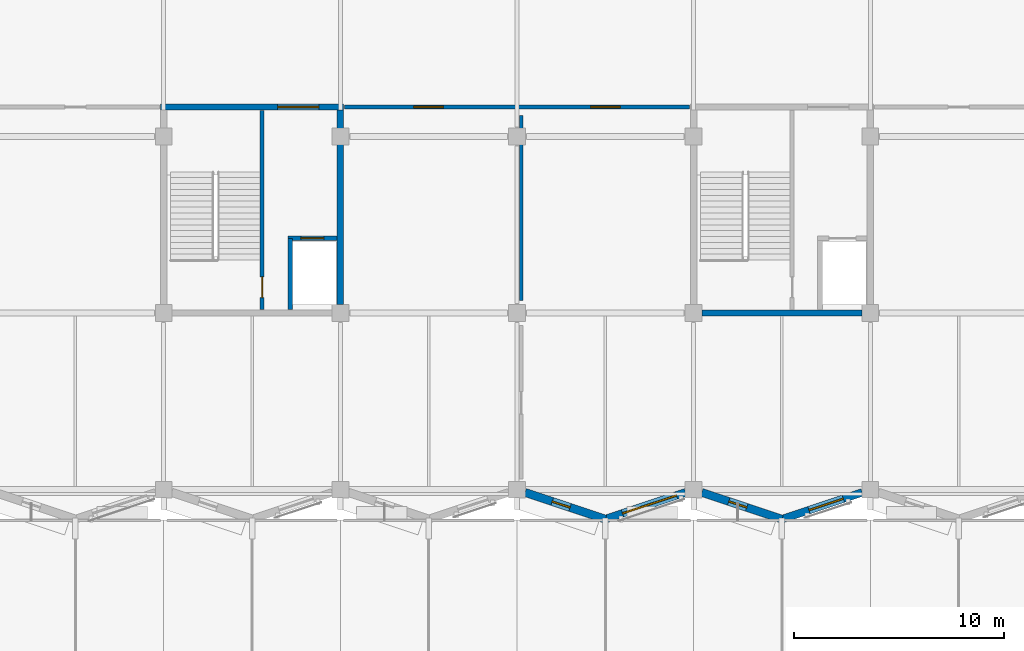
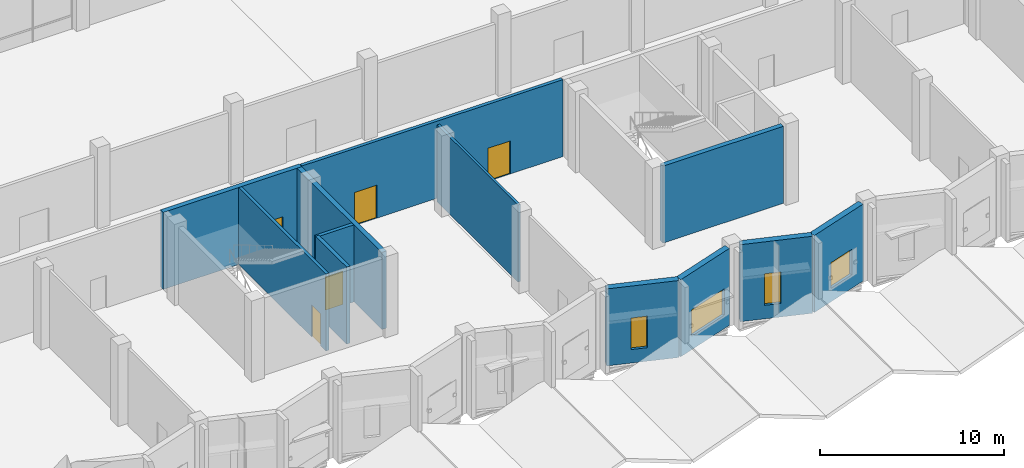
# One storey, part 51 of 72: 12 walls, 5 doors, 4 windows, 9 openings.
"""IFC4 building model written with IfcOpenShell, lengths in metres."""

from ifc_helpers import new_model, si_unit, direction, frame, frame_2d, origin, place, context, subcontext, project, spatial, rectangle, extrude, material, layer, layer_set, type_object, element, fill, save


model = new_model("IFC4")

# Units and contexts
model_context = context("Model", 3, precision=1e-05, world=origin(), true_north=direction((0.0, 1.0)))
body_context = subcontext(model_context, "Body", "Model", "MODEL_VIEW")
ifc_project = project(units=[si_unit("LENGTHUNIT", "METRE"), si_unit("AREAUNIT", "SQUARE_METRE"), si_unit("VOLUMEUNIT", "CUBIC_METRE"), si_unit("PLANEANGLEUNIT", "RADIAN"), si_unit("MASSUNIT", "GRAM", prefix="KILO")], contexts=[model_context])

# Site, building, storey
site_placement = place(None, origin())
site = spatial("IfcSite", under=ifc_project, at=site_placement, CompositionType="ELEMENT")
building_placement = place(site_placement, origin())
building = spatial("IfcBuilding", under=site, at=building_placement, Name="Qawsi Khor Wholesale Market", CompositionType="ELEMENT")
storey_placement = place(building_placement, frame((0.0, 0.0, 6.0)))
storey = spatial("IfcBuildingStorey", under=building, at=storey_placement, Name="L01", CompositionType="ELEMENT", Elevation=6.0)

# Wall, opening, door
ifc_material_1 = material(Name="Concrete C40/50", Category="concrete")
ifc_layer_1 = layer(ifc_material_1, 0.300048828125, Name="Concrete C40/50")
ifc_layer_set_1 = layer_set([ifc_layer_1], Name="Concrete C40/50")
wall_type_1 = type_object("IfcWallType", Name="Core Shear Wall RC 300 C40/50", PredefinedType="SHEAR", material=ifc_layer_set_1)
wall_1_placement = place(storey_placement, frame((92.25, 18.199951171875, 0.0), z_axis=(0.0, 0.0, 1.0), x_axis=(1.0, 0.0, 0.0)))
wall_1 = element("IfcWall", 1, at=wall_1_placement, inside=storey, type_object=wall_type_1, Name="Core C03 north shear wall L01", PredefinedType="SHEAR", context=body_context, shape_type="SweptSolid", body=[
    extrude(rectangle(XDim=8.699951171875, YDim=0.300048828125, at=frame_2d((4.35009765625, 0.0))), origin(), (0.0, 0.0, 1.0), 5.1201171875),
])
opening_1_placement = place(wall_1_placement, frame((5.570068359375, 0.0, 0.0)))
opening_1 = element("IfcOpeningElement", 2, at=opening_1_placement, cuts=wall_1, Name="Opening ID-01", PredefinedType="OPENING", context=body_context, shape_type="SweptSolid", body=[
    extrude(rectangle(XDim=1.9599609375, YDim=2.199951171875, at=frame_2d((0.97998046875, 1.10009765625))), frame((0.0, 0.159912109375, 0.0), z_axis=(0.0, -1.0, 0.0), x_axis=(1.0, 0.0, 0.0)), (0.0, 0.0, 1.0), 0.320068359375),
])
ifc_material_2 = material(Name="Steel Fire Door", Category="steel")
door_type_1 = type_object("IfcDoorType", Name="Stair & Core Fire Door 1960x2200 FD90S", OperationType="NOTDEFINED", PredefinedType="DOOR", material=ifc_material_2)
door_1_placement = place(opening_1_placement, origin())
door_1 = element("IfcDoor", 3, at=door_1_placement, inside=storey, type_object=door_type_1, Name="Core C03 fire door L01", OperationType="DOUBLE_DOOR_SINGLE_SWING", OverallHeight=2.199951171875, OverallWidth=1.9599609375, PredefinedType="DOOR", context=body_context, shape_type="SweptSolid", body=[
    extrude(rectangle(XDim=1.9599609375, YDim=2.199951171875, at=frame_2d((0.97998046875, 1.10009765625))), frame((0.0, 0.02490234375, 0.0), z_axis=(0.0, -1.0, 0.0), x_axis=(1.0, 0.0, 0.0)), (0.0, 0.0, 1.0), 0.050048828125),
])
fill(opening_1, door_1)

# Walls
wall_2_placement = place(storey_placement, frame((100.800048828125, 18.050048828125, 0.0), z_axis=(0.0, 0.0, 1.0), x_axis=(0.0, -1.0, 0.0)))
element("IfcWall", 4, at=wall_2_placement, inside=storey, type_object=wall_type_1, Name="Core C03 east shear wall L01", PredefinedType="SHEAR", context=body_context, shape_type="SweptSolid", body=[
    extrude(rectangle(XDim=9.2451171875, YDim=0.300048828125, at=frame_2d((4.62255859375, 0.0))), origin(), (0.0, 0.0, 1.0), 5.1201171875),
])
wall_3_placement = place(storey_placement, frame((125.594970703125, 8.39990234375, 0.0), z_axis=(0.0, 0.0, 1.0), x_axis=(-1.0, 0.0, 0.0)))
element("IfcWall", 5, at=wall_3_placement, inside=storey, type_object=wall_type_1, Name="Core C04 south shear wall L01", PredefinedType="SHEAR", context=body_context, shape_type="SweptSolid", body=[
    extrude(rectangle(XDim=7.590087890625, YDim=0.300048828125, at=frame_2d((3.794921875, 0.0))), origin(), (0.0, 0.0, 1.0), 5.1201171875),
])

# Wall, openings, doors
ifc_material_3 = material(Name="Gypsum Fireboard on Steel Stud", Category="steel")
ifc_layer_2 = layer(ifc_material_3, 0.2099609375, Name="Gypsum Fireboard on Steel Stud")
ifc_layer_set_2 = layer_set([ifc_layer_2], Name="Gypsum Fireboard on Steel Stud")
wall_type_2 = type_object("IfcWallType", Name="Corridor Fire Partition Wall 210", PredefinedType="PARTITIONING", material=ifc_layer_set_2)
wall_4_placement = place(storey_placement, frame((101.0, 18.199951171875, 0.0), z_axis=(0.0, 0.0, 1.0), x_axis=(1.0, 0.0, 0.0)))
wall_4 = element("IfcWall", 6, at=wall_4_placement, inside=storey, type_object=wall_type_2, Name="PW-L01-052", PredefinedType="PARTITIONING", context=body_context, shape_type="SweptSolid", body=[
    extrude(rectangle(XDim=16.39990234375, YDim=0.2099609375, at=frame_2d((8.199951171875, 0.0))), origin(), (0.0, 0.0, 1.0), 5.1201171875),
])
opening_2_placement = place(wall_4_placement, frame((3.300048828125, 0.0, 0.0)))
opening_2 = element("IfcOpeningElement", 7, at=opening_2_placement, cuts=wall_4, Name="Opening ID-02", PredefinedType="OPENING", context=body_context, shape_type="SweptSolid", body=[
    extrude(rectangle(XDim=1.39990234375, YDim=2.199951171875, at=frame_2d((0.699951171875, 1.10009765625))), frame((0.0, 0.114990234375, 0.0), z_axis=(0.0, -1.0, 0.0), x_axis=(1.0, 0.0, 0.0)), (0.0, 0.0, 1.0), 0.22998046875),
])
opening_3_placement = place(wall_4_placement, frame((11.699951171875, 0.0, 0.0)))
opening_3 = element("IfcOpeningElement", 8, at=opening_3_placement, cuts=wall_4, Name="Opening ID-02", PredefinedType="OPENING", context=body_context, shape_type="SweptSolid", body=[
    extrude(rectangle(XDim=1.39990234375, YDim=2.199951171875, at=frame_2d((0.699951171875, 1.10009765625))), frame((0.0, 0.114990234375, 0.0), z_axis=(0.0, -1.0, 0.0), x_axis=(1.0, 0.0, 0.0)), (0.0, 0.0, 1.0), 0.22998046875),
])
door_type_2 = type_object("IfcDoorType", Name="Firefighting Lobby Door 1400x2200 FD60S", OperationType="NOTDEFINED", PredefinedType="DOOR", material=ifc_material_2)
door_2_placement = place(opening_2_placement, origin())
door_2 = element("IfcDoor", 9, at=door_2_placement, inside=storey, type_object=door_type_2, Name="Firefighting Lobby Door 1400x2200 FD60S L01-056", OperationType="DOUBLE_DOOR_SINGLE_SWING", OverallHeight=2.199951171875, OverallWidth=1.39990234375, PredefinedType="DOOR", context=body_context, shape_type="SweptSolid", body=[
    extrude(rectangle(XDim=1.39990234375, YDim=2.199951171875, at=frame_2d((0.699951171875, 1.10009765625))), frame((0.0, 0.02490234375, 0.0), z_axis=(0.0, -1.0, 0.0), x_axis=(1.0, 0.0, 0.0)), (0.0, 0.0, 1.0), 0.050048828125),
])
fill(opening_2, door_2)
door_3_placement = place(opening_3_placement, origin())
door_3 = element("IfcDoor", 10, at=door_3_placement, inside=storey, type_object=door_type_2, Name="Firefighting Lobby Door 1400x2200 FD60S L01-057", OperationType="DOUBLE_DOOR_SINGLE_SWING", OverallHeight=2.199951171875, OverallWidth=1.39990234375, PredefinedType="DOOR", context=body_context, shape_type="SweptSolid", body=[
    extrude(rectangle(XDim=1.39990234375, YDim=2.199951171875, at=frame_2d((0.699951171875, 1.10009765625))), frame((0.0, 0.02490234375, 0.0), z_axis=(0.0, -1.0, 0.0), x_axis=(1.0, 0.0, 0.0)), (0.0, 0.0, 1.0), 0.050048828125),
])
fill(opening_3, door_3)

# Wall
ifc_layer_3 = layer(ifc_material_1, 0.219970703125, Name="Concrete C40/50")
ifc_layer_set_3 = layer_set([ifc_layer_3], Name="Concrete C40/50")
wall_type_3 = type_object("IfcWallType", Name="Lift & Stair Shaft Wall RC 220", PredefinedType="SOLIDWALL", material=ifc_layer_set_3)
wall_5_placement = place(storey_placement, frame((98.409912109375, 8.56005859375, 0.0), z_axis=(0.0, 0.0, 1.0), x_axis=(0.0, 1.0, 0.0)))
element("IfcWall", 11, at=wall_5_placement, inside=storey, type_object=wall_type_3, Name="Lift PL-02 shaft wall W L01", PredefinedType="SOLIDWALL", context=body_context, shape_type="SweptSolid", body=[
    extrude(rectangle(XDim=3.389892578125, YDim=0.219970703125, at=frame_2d((1.69482421875, 0.0))), origin(), (0.0, 0.0, 1.0), 5.1201171875),
])

# Wall, opening, door
wall_6_placement = place(storey_placement, frame((98.300048828125, 11.949951171875, 0.0), z_axis=(0.0, 0.0, 1.0), x_axis=(1.0, 0.0, 0.0)))
wall_6 = element("IfcWall", 12, at=wall_6_placement, inside=storey, type_object=wall_type_3, Name="Lift PL-02 shaft wall N L01", PredefinedType="SOLIDWALL", context=body_context, shape_type="SweptSolid", body=[
    extrude(rectangle(XDim=2.33984375, YDim=0.219970703125, at=frame_2d((1.169921875, 0.0))), origin(), (0.0, 0.0, 1.0), 5.1201171875),
])
opening_4_placement = place(wall_6_placement, frame((0.6201171875, 0.0, 0.0)))
opening_4 = element("IfcOpeningElement", 13, at=opening_4_placement, cuts=wall_6, Name="Opening LD-P110", PredefinedType="OPENING", context=body_context, shape_type="SweptSolid", body=[
    extrude(rectangle(XDim=1.10009765625, YDim=2.199951171875, at=frame_2d((0.550048828125, 1.10009765625))), frame((0.0, 0.119873046875, 0.0), z_axis=(0.0, -1.0, 0.0), x_axis=(1.0, 0.0, 0.0)), (0.0, 0.0, 1.0), 0.239990234375),
])
ifc_material_4 = material(Name="Brushed Stainless Steel", Category="steel")
door_type_3 = type_object("IfcDoorType", Name="Passenger Lift Landing Sliding Door 1100x2200 FD90S", OperationType="NOTDEFINED", PredefinedType="DOOR", material=ifc_material_4)
door_4_placement = place(opening_4_placement, origin())
door_4 = element("IfcDoor", 14, at=door_4_placement, inside=storey, type_object=door_type_3, Name="Lift PL-02 landing door L01", OperationType="SLIDING_TO_RIGHT", OverallHeight=2.199951171875, OverallWidth=1.10009765625, PredefinedType="DOOR", context=body_context, shape_type="SweptSolid", body=[
    extrude(rectangle(XDim=1.10009765625, YDim=2.199951171875, at=frame_2d((0.550048828125, 1.10009765625))), frame((0.0, 0.02490234375, 0.0), z_axis=(0.0, -1.0, 0.0), x_axis=(1.0, 0.0, 0.0)), (0.0, 0.0, 1.0), 0.050048828125),
])
fill(opening_4, door_4)

# Wall
ifc_material_5 = material(Name="Gypsum Board on Metal Stud", Category="gypsum")
ifc_layer_4 = layer(ifc_material_5, 0.14990234375, Name="Gypsum Board on Metal Stud")
ifc_layer_set_4 = layer_set([ifc_layer_4], Name="Gypsum Board on Metal Stud")
wall_type_4 = type_object("IfcWallType", Name="Office Partition Wall 150", PredefinedType="PARTITIONING", material=ifc_layer_set_4)
wall_7_placement = place(storey_placement, frame((109.39990234375, 9.0, 0.0), z_axis=(0.0, 0.0, 1.0), x_axis=(0.0, 1.0, 0.0)))
element("IfcWall", 15, at=wall_7_placement, inside=storey, type_object=wall_type_4, Name="PW-L01-054", PredefinedType="PARTITIONING", context=body_context, shape_type="SweptSolid", body=[
    extrude(rectangle(XDim=8.800048828125, YDim=0.14990234375, at=frame_2d((4.39990234375, 0.0))), origin(), (0.0, 0.0, 1.0), 5.1201171875),
])

# Wall, opening, door
ifc_layer_5 = layer(ifc_material_1, 0.18994140625, Name="Concrete C40/50")
ifc_layer_set_5 = layer_set([ifc_layer_5], Name="Concrete C40/50")
wall_type_5 = type_object("IfcWallType", Name="Stairwell Enclosure Wall RC 190", PredefinedType="SOLIDWALL", material=ifc_layer_set_5)
wall_8_placement = place(storey_placement, frame((97.080078125, 8.56005859375, 0.0), z_axis=(0.0, 0.0, 1.0), x_axis=(0.0, 1.0, 0.0)))
wall_8 = element("IfcWall", 16, at=wall_8_placement, inside=storey, type_object=wall_type_5, Name="Core C03 stairwell enclosure wall L01", PredefinedType="SOLIDWALL", context=body_context, shape_type="SweptSolid", body=[
    extrude(rectangle(XDim=9.47998046875, YDim=0.18994140625, at=frame_2d((4.739990234375, 0.0))), origin(), (0.0, 0.0, 1.0), 5.1201171875),
])
opening_5_placement = place(wall_8_placement, frame((0.580078125, 0.0, 0.0)))
opening_5 = element("IfcOpeningElement", 17, at=opening_5_placement, cuts=wall_8, Name="Opening ID-17", PredefinedType="OPENING", context=body_context, shape_type="SweptSolid", body=[
    extrude(rectangle(XDim=0.97998046875, YDim=2.14990234375, at=frame_2d((0.489990234375, 1.074951171875))), frame((0.0, 0.10498046875, 0.0), z_axis=(0.0, -1.0, 0.0), x_axis=(1.0, 0.0, 0.0)), (0.0, 0.0, 1.0), 0.2099609375),
])
door_type_4 = type_object("IfcDoorType", Name="Core Stair Lobby Fire Door 980x2150 FD120S", OperationType="NOTDEFINED", PredefinedType="DOOR", material=ifc_material_2)
door_5_placement = place(opening_5_placement, origin())
door_5 = element("IfcDoor", 18, at=door_5_placement, inside=storey, type_object=door_type_4, Name="Core C03 stair enclosure fire door L01", OperationType="SINGLE_SWING_LEFT", OverallHeight=2.14990234375, OverallWidth=0.97998046875, PredefinedType="DOOR", context=body_context, shape_type="SweptSolid", body=[
    extrude(rectangle(XDim=0.97998046875, YDim=2.14990234375, at=frame_2d((0.489990234375, 1.074951171875))), frame((0.0, 0.02490234375, 0.0), z_axis=(0.0, -1.0, 0.0), x_axis=(1.0, 0.0, 0.0)), (0.0, 0.0, 1.0), 0.050048828125),
])
fill(opening_5, door_5)

# Wall, opening, window
ifc_layer_6 = layer(ifc_material_1, 0.3701171875, Name="Concrete C40/50")
ifc_layer_set_6 = layer_set([ifc_layer_6], Name="Concrete C40/50")
wall_type_6 = type_object("IfcWallType", Name="Turned-Bay Concrete Facade Wall 370", PredefinedType="SOLIDWALL", material=ifc_layer_set_6)
wall_9_placement = place(storey_placement, frame((117.2158203125, -0.128173828125, 0.0), z_axis=(0.0, 0.0, 1.0), x_axis=(-0.94870150572, -0.316173137767, 0.0)))
wall_9 = element("IfcWall", 19, at=wall_9_placement, inside=storey, type_object=wall_type_6, Name="EW-L01-SBAY-22", PredefinedType="SOLIDWALL", context=body_context, shape_type="SweptSolid", body=[
    extrude(rectangle(XDim=4.022216796875, YDim=0.3701171875, at=frame_2d((2.01123046875, 0.0))), origin(), (0.0, 0.0, 1.0), 5.1201171875),
])
opening_6_placement = place(wall_9_placement, frame((0.4580078125, 0.0, 0.89990234375)))
opening_6 = element("IfcOpeningElement", 20, at=opening_6_placement, cuts=wall_9, Name="Opening W-09", PredefinedType="OPENING", context=body_context, shape_type="SweptSolid", body=[
    extrude(rectangle(XDim=2.699951171875, YDim=1.75, at=frame_2d((1.35009765625, 0.875))), frame((0.0, 0.195068359375, 0.0), z_axis=(0.0, -1.0, 0.0), x_axis=(1.0, 0.0, 0.0)), (0.0, 0.0, 1.0), 0.39013671875),
])
ifc_material_6 = material(Name="Thermally Broken Aluminium & Low-E Glass", Category="aluminium")
window_type_1 = type_object("IfcWindowType", Name="Win W-09 Clearinghouse Wide 2700x1750", PartitioningType="SINGLE_PANEL", PredefinedType="WINDOW", material=ifc_material_6)
window_1_placement = place(opening_6_placement, origin())
window_1 = element("IfcWindow", 21, at=window_1_placement, inside=storey, type_object=window_type_1, Name="Win W-09 Clearinghouse Wide 2700x1750 022", OverallHeight=1.75, OverallWidth=2.699951171875, PartitioningType="SINGLE_PANEL", PredefinedType="WINDOW", context=body_context, shape_type="SweptSolid", body=[
    extrude(rectangle(XDim=2.699951171875, YDim=1.75, at=frame_2d((1.35009765625, 0.875))), frame((0.0, 0.030029296875, 0.0), z_axis=(0.0, -1.0, 0.0), x_axis=(1.0, 0.0, 0.0)), (0.0, 0.0, 1.0), 0.06005859375),
])
fill(opening_6, window_1)

wall_10_placement = place(storey_placement, frame((125.61572265625, -0.128173828125, 0.0), z_axis=(0.0, 0.0, 1.0), x_axis=(-0.948695437545, -0.316191345203, 0.0)))
wall_10 = element("IfcWall", 22, at=wall_10_placement, inside=storey, type_object=wall_type_6, Name="EW-L01-SBAY-24", PredefinedType="SOLIDWALL", context=body_context, shape_type="SweptSolid", body=[
    extrude(rectangle(XDim=4.02197265625, YDim=0.3701171875, at=frame_2d((2.010986328125, 0.0))), origin(), (0.0, 0.0, 1.0), 5.1201171875),
])
opening_7_placement = place(wall_10_placement, frame((0.947998046875, 0.0, 0.89990234375)))
opening_7 = element("IfcOpeningElement", 23, at=opening_7_placement, cuts=wall_10, Name="Opening W-23", PredefinedType="OPENING", context=body_context, shape_type="SweptSolid", body=[
    extrude(rectangle(XDim=1.719970703125, YDim=1.699951171875, at=frame_2d((0.85986328125, 0.85009765625))), frame((0.0, 0.195068359375, 0.0), z_axis=(0.0, -1.0, 0.0), x_axis=(1.0, 0.0, 0.0)), (0.0, 0.0, 1.0), 0.39013671875),
])
window_type_2 = type_object("IfcWindowType", Name="Win W-23 East Office Punched 1720x1700", PartitioningType="SINGLE_PANEL", PredefinedType="WINDOW", material=ifc_material_6)
window_2_placement = place(opening_7_placement, origin())
window_2 = element("IfcWindow", 24, at=window_2_placement, inside=storey, type_object=window_type_2, Name="Win W-23 East Office Punched 1720x1700 024", OverallHeight=1.699951171875, OverallWidth=1.719970703125, PartitioningType="SINGLE_PANEL", PredefinedType="WINDOW", context=body_context, shape_type="SweptSolid", body=[
    extrude(rectangle(XDim=1.719970703125, YDim=1.699951171875, at=frame_2d((0.85986328125, 0.85009765625))), frame((0.0, 0.030029296875, 0.0), z_axis=(0.0, -1.0, 0.0), x_axis=(1.0, 0.0, 0.0)), (0.0, 0.0, 1.0), 0.06005859375),
])
fill(opening_7, window_2)

ifc_layer_7 = layer(ifc_material_1, 0.389892578125, Name="Concrete C40/50")
ifc_layer_set_7 = layer_set([ifc_layer_7], Name="Concrete C40/50")
wall_type_7 = type_object("IfcWallType", Name="Turned-Bay Concrete Facade Wall 390", PredefinedType="SOLIDWALL", material=ifc_layer_set_7)
wall_11_placement = place(storey_placement, frame((113.39990234375, -1.39990234375, 0.0), z_axis=(0.0, 0.0, 1.0), x_axis=(-0.948695437545, 0.316191345203, 0.0)))
wall_11 = element("IfcWall", 25, at=wall_11_placement, inside=storey, type_object=wall_type_7, Name="EW-L01-SBAY-21", PredefinedType="SOLIDWALL", context=body_context, shape_type="SweptSolid", body=[
    extrude(rectangle(XDim=4.02197265625, YDim=0.389892578125, at=frame_2d((2.010986328125, 0.0))), origin(), (0.0, 0.0, 1.0), 5.1201171875),
])
opening_8_placement = place(wall_11_placement, frame((1.762939453125, 0.0, 0.89990234375)))
opening_8 = element("IfcOpeningElement", 26, at=opening_8_placement, cuts=wall_11, Name="Opening W-02", PredefinedType="OPENING", context=body_context, shape_type="SweptSolid", body=[
    extrude(rectangle(XDim=0.89990234375, YDim=2.10009765625, at=frame_2d((0.449951171875, 1.050048828125))), frame((0.0, 0.204833984375, 0.0), z_axis=(0.0, -1.0, 0.0), x_axis=(1.0, 0.0, 0.0)), (0.0, 0.0, 1.0), 0.409912109375),
])
window_type_3 = type_object("IfcWindowType", Name="Win W-02 Deep-Set Narrow 900x2100", PartitioningType="SINGLE_PANEL", PredefinedType="WINDOW", material=ifc_material_6)
window_3_placement = place(opening_8_placement, origin())
window_3 = element("IfcWindow", 27, at=window_3_placement, inside=storey, type_object=window_type_3, Name="Win W-02 Deep-Set Narrow 900x2100 021", OverallHeight=2.10009765625, OverallWidth=0.89990234375, PartitioningType="SINGLE_PANEL", PredefinedType="WINDOW", context=body_context, shape_type="SweptSolid", body=[
    extrude(rectangle(XDim=0.89990234375, YDim=2.10009765625, at=frame_2d((0.449951171875, 1.050048828125))), frame((0.0, 0.030029296875, 0.0), z_axis=(0.0, -1.0, 0.0), x_axis=(1.0, 0.0, 0.0)), (0.0, 0.0, 1.0), 0.06005859375),
])
fill(opening_8, window_3)

wall_12_placement = place(storey_placement, frame((121.800048828125, -1.39990234375, 0.0), z_axis=(0.0, 0.0, 1.0), x_axis=(-0.94870150572, 0.316173137767, 0.0)))
wall_12 = element("IfcWall", 28, at=wall_12_placement, inside=storey, type_object=wall_type_7, Name="EW-L01-SBAY-23", PredefinedType="SOLIDWALL", context=body_context, shape_type="SweptSolid", body=[
    extrude(rectangle(XDim=4.022216796875, YDim=0.389892578125, at=frame_2d((2.01123046875, 0.0))), origin(), (0.0, 0.0, 1.0), 5.1201171875),
])
opening_9_placement = place(wall_12_placement, frame((1.762939453125, 0.0, 0.89990234375)))
opening_9 = element("IfcOpeningElement", 29, at=opening_9_placement, cuts=wall_12, Name="Opening W-02", PredefinedType="OPENING", context=body_context, shape_type="SweptSolid", body=[
    extrude(rectangle(XDim=0.89990234375, YDim=2.10009765625, at=frame_2d((0.449951171875, 1.050048828125))), frame((0.0, 0.204833984375, 0.0), z_axis=(0.0, -1.0, 0.0), x_axis=(1.0, 0.0, 0.0)), (0.0, 0.0, 1.0), 0.409912109375),
])
window_4_placement = place(opening_9_placement, origin())
window_4 = element("IfcWindow", 30, at=window_4_placement, inside=storey, type_object=window_type_3, Name="Win W-02 Deep-Set Narrow 900x2100 023", OverallHeight=2.10009765625, OverallWidth=0.89990234375, PartitioningType="SINGLE_PANEL", PredefinedType="WINDOW", context=body_context, shape_type="SweptSolid", body=[
    extrude(rectangle(XDim=0.89990234375, YDim=2.10009765625, at=frame_2d((0.449951171875, 1.050048828125))), frame((0.0, 0.030029296875, 0.0), z_axis=(0.0, -1.0, 0.0), x_axis=(1.0, 0.0, 0.0)), (0.0, 0.0, 1.0), 0.06005859375),
])
fill(opening_9, window_4)

save(model, "model.ifc")
